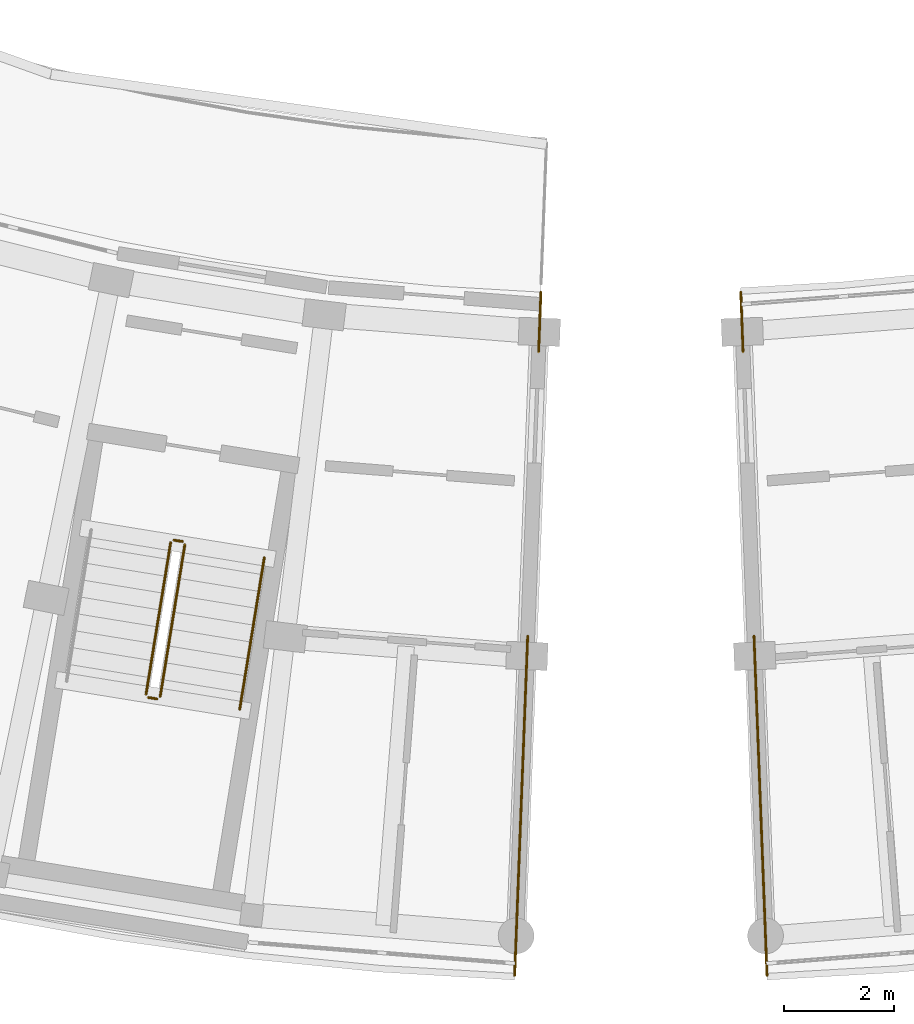
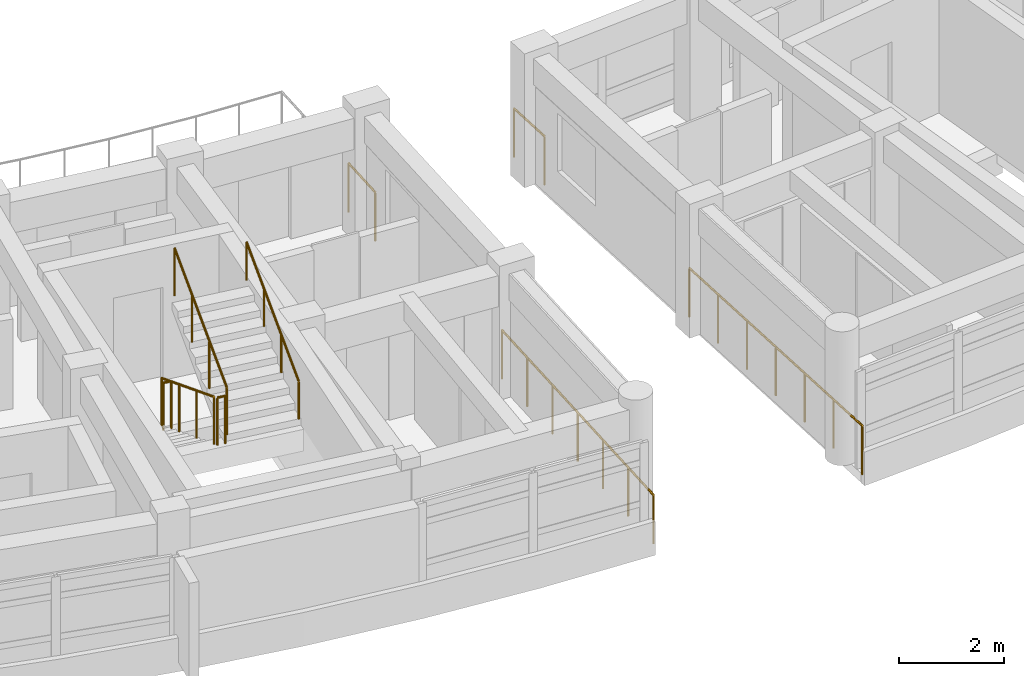
# One storey, part 49 of 54: 9 railings.
"""IFC4 building model written with IfcOpenShell, lengths in metres."""

from ifc_helpers import new_model, si_unit, direction, frame, origin, origin_2d, place, context, subcontext, project, spatial, circle, extrude, material, type_object, element, save


model = new_model("IFC4")

# Units and contexts
model_context = context("Model", 3, precision=1e-05, world=origin(), true_north=direction((0.0, 1.0)))
body_context = subcontext(model_context, "Body", "Model", "MODEL_VIEW")
ifc_project = project(units=[si_unit("LENGTHUNIT", "METRE"), si_unit("AREAUNIT", "SQUARE_METRE"), si_unit("VOLUMEUNIT", "CUBIC_METRE"), si_unit("PLANEANGLEUNIT", "RADIAN"), si_unit("MASSUNIT", "GRAM", prefix="KILO")], contexts=[model_context])

# Site, building, storey
site_placement = place(None, origin())
site = spatial("IfcSite", under=ifc_project, at=site_placement, CompositionType="ELEMENT")
building_placement = place(site_placement, origin())
building = spatial("IfcBuilding", under=site, at=building_placement, Name="Zimvara Arc Housing Community", CompositionType="ELEMENT")
storey_placement = place(building_placement, frame((0.0, 0.0, 23.60009765625)))
storey = spatial("IfcBuildingStorey", under=building, at=storey_placement, Name="L07", CompositionType="ELEMENT", Elevation=23.60009765625)

# Railings
ifc_material_1 = material(Name="Anodised Aluminium AW-6063", Category="aluminium")
railing_type_1 = type_object("IfcRailingType", Name="RLG-BAL-1120", PredefinedType="BALUSTRADE", material=ifc_material_1)
railing_1_placement = place(storey_placement, frame((117.455810546875, 58.15771484375, 0.15478515625)))
element("IfcRailing", 1, at=railing_1_placement, inside=storey, type_object=railing_type_1, Name="L07 ST-C2 stair guard 1", PredefinedType="BALUSTRADE", context=body_context, shape_type="SweptSolid", body=[
    extrude(circle(Radius=0.02392578125, at=origin_2d()), frame((0.0, 0.0, 1.09619140625), z_axis=(-0.14330919097, -0.882866015369, 0.447224859204), x_axis=(0.987080428045, -0.160225555297, 0.0)), (0.0, 0.0, 1.0), 3.119384765625),
    extrude(circle(Radius=0.02099609375, at=origin_2d()), origin(), (0.0, 0.0, 1.0), 1.072021484375),
    extrude(circle(Radius=0.02099609375, at=origin_2d()), frame((-0.14892578125, -0.91796875, 0.465087890625)), (0.0, 0.0, 1.0), 1.072021484375),
    extrude(circle(Radius=0.02099609375, at=origin_2d()), frame((-0.298095703125, -1.8359375, 0.929931640625)), (0.0, 0.0, 1.0), 1.072021484375),
    extrude(circle(Radius=0.02099609375, at=origin_2d()), frame((-0.447021484375, -2.75390625, 1.39501953125)), (0.0, 0.0, 1.0), 1.072021484375),
])
railing_2_placement = place(storey_placement, frame((117.050048828125, 55.346435546875, 1.5498046875)))
element("IfcRailing", 2, at=railing_2_placement, inside=storey, type_object=railing_type_1, Name="L07 ST-C2 stair guard 2", PredefinedType="BALUSTRADE", context=body_context, shape_type="SweptSolid", body=[
    extrude(circle(Radius=0.02392578125, at=origin_2d()), frame((0.0, 0.0, 1.09619140625), z_axis=(0.987085924886, -0.160191687964, 0.0), x_axis=(0.160191687964, 0.987085924886, 0.0)), (0.0, 0.0, 1.0), 0.159912109375),
    extrude(circle(Radius=0.02099609375, at=origin_2d()), origin(), (0.0, 0.0, 1.0), 1.072021484375),
    extrude(circle(Radius=0.02099609375, at=origin_2d()), frame((0.157958984375, -0.025634765625, 0.0)), (0.0, 0.0, 1.0), 1.072021484375),
])
railing_3_placement = place(storey_placement, frame((117.265380859375, 55.3623046875, 1.704833984375)))
element("IfcRailing", 3, at=railing_3_placement, inside=storey, type_object=railing_type_1, Name="L07 ST-C2 stair guard 3", PredefinedType="BALUSTRADE", context=body_context, shape_type="SweptSolid", body=[
    extrude(circle(Radius=0.02392578125, at=origin_2d()), frame((0.0, 0.0, 1.09619140625), z_axis=(0.14330919097, 0.882866015369, 0.447224859204), x_axis=(-0.987080428045, 0.160225555297, 0.0)), (0.0, 0.0, 1.0), 3.119384765625),
    extrude(circle(Radius=0.02099609375, at=origin_2d()), origin(), (0.0, 0.0, 1.0), 1.072021484375),
    extrude(circle(Radius=0.02099609375, at=origin_2d()), frame((0.14892578125, 0.91796875, 0.465087890625)), (0.0, 0.0, 1.0), 1.072021484375),
    extrude(circle(Radius=0.02099609375, at=origin_2d()), frame((0.298095703125, 1.8359375, 0.929931640625)), (0.0, 0.0, 1.0), 1.072021484375),
    extrude(circle(Radius=0.02099609375, at=origin_2d()), frame((0.447021484375, 2.75390625, 1.39501953125)), (0.0, 0.0, 1.0), 1.072021484375),
])
railing_4_placement = place(storey_placement, frame((117.51318359375, 58.19921875, 0.0)))
element("IfcRailing", 4, at=railing_4_placement, inside=storey, type_object=railing_type_1, Name="L07 ST-C2 stair guard 4", PredefinedType="BALUSTRADE", context=body_context, shape_type="SweptSolid", body=[
    extrude(circle(Radius=0.02392578125, at=origin_2d()), frame((0.0, 0.0, 1.09619140625), z_axis=(0.987085924886, -0.160191687964, 0.0), x_axis=(0.160191687964, 0.987085924886, 0.0)), (0.0, 0.0, 1.0), 0.159912109375),
    extrude(circle(Radius=0.02099609375, at=origin_2d()), origin(), (0.0, 0.0, 1.0), 1.072021484375),
    extrude(circle(Radius=0.02099609375, at=origin_2d()), frame((0.157958984375, -0.025634765625, 0.0)), (0.0, 0.0, 1.0), 1.072021484375),
])
ifc_material_2 = material(Name="Anodised Aluminium AW-6063", Category="aluminium")
railing_type_2 = type_object("IfcRailingType", Name="RLG-BAL-1150", PredefinedType="BALUSTRADE", material=ifc_material_2)
railing_5_placement = place(storey_placement, frame((124.168212890625, 62.69482421875, 0.0)))
element("IfcRailing", 5, at=railing_5_placement, inside=storey, type_object=railing_type_2, Name="rlg:blkC:L07:gable_in:gN", PredefinedType="BALUSTRADE", context=body_context, shape_type="SweptSolid", body=[
    extrude(circle(Radius=0.02392578125, at=origin_2d()), frame((0.0, 0.0, 1.1259765625), z_axis=(-0.038424441628, -0.999261508458, 0.0), x_axis=(0.999261508458, -0.038424441628, 0.0)), (0.0, 0.0, 1.0), 1.080078125),
    extrude(circle(Radius=0.02099609375, at=origin_2d()), origin(), (0.0, 0.0, 1.0), 1.101806640625),
    extrude(circle(Radius=0.02099609375, at=origin_2d()), frame((-0.04150390625, -1.079345703125, 0.0)), (0.0, 0.0, 1.0), 1.101806640625),
])
railing_6_placement = place(storey_placement, frame((123.928466796875, 56.45947265625, 0.0)))
element("IfcRailing", 6, at=railing_6_placement, inside=storey, type_object=railing_type_2, Name="rlg:blkC:L07:gable_out:gN", PredefinedType="BALUSTRADE", context=body_context, shape_type="SweptSolid", body=[
    extrude(circle(Radius=0.02392578125, at=origin_2d()), frame((0.0, 0.0, 1.1259765625), z_axis=(-0.038364627964, -0.99926380667, 0.0), x_axis=(0.99926380667, -0.038364627964, 0.0)), (0.0, 0.0, 1.0), 6.16015625),
    extrude(circle(Radius=0.02099609375, at=origin_2d()), origin(), (0.0, 0.0, 1.0), 1.101806640625),
    extrude(circle(Radius=0.02099609375, at=origin_2d()), frame((-0.039306640625, -1.02587890625, 0.0)), (0.0, 0.0, 1.0), 1.101806640625),
    extrude(circle(Radius=0.02099609375, at=origin_2d()), frame((-0.078857421875, -2.0517578125, 0.0)), (0.0, 0.0, 1.0), 1.101806640625),
    extrude(circle(Radius=0.02099609375, at=origin_2d()), frame((-0.1181640625, -3.07763671875, 0.0)), (0.0, 0.0, 1.0), 1.101806640625),
    extrude(circle(Radius=0.02099609375, at=origin_2d()), frame((-0.157470703125, -4.103759765625, 0.0)), (0.0, 0.0, 1.0), 1.101806640625),
    extrude(circle(Radius=0.02099609375, at=origin_2d()), frame((-0.197021484375, -5.129638671875, 0.0)), (0.0, 0.0, 1.0), 1.101806640625),
    extrude(circle(Radius=0.02099609375, at=origin_2d()), frame((-0.236328125, -6.155517578125, 0.0)), (0.0, 0.0, 1.0), 1.101806640625),
])
railing_7_placement = place(storey_placement, frame((127.7919921875, 62.69482421875, 0.0)))
element("IfcRailing", 7, at=railing_7_placement, inside=storey, type_object=railing_type_2, Name="rlg:blkD:L07:gable_in:g0", PredefinedType="BALUSTRADE", context=body_context, shape_type="SweptSolid", body=[
    extrude(circle(Radius=0.02392578125, at=origin_2d()), frame((0.0, 0.0, 1.1259765625), z_axis=(0.03819874628, -0.999270161559, 0.0), x_axis=(0.999270161559, 0.03819874628, 0.0)), (0.0, 0.0, 1.0), 1.080078125),
    extrude(circle(Radius=0.02099609375, at=origin_2d()), origin(), (0.0, 0.0, 1.0), 1.101806640625),
    extrude(circle(Radius=0.02099609375, at=origin_2d()), frame((0.041259765625, -1.079345703125, 0.0)), (0.0, 0.0, 1.0), 1.101806640625),
])
railing_8_placement = place(storey_placement, frame((128.031494140625, 56.45947265625, 0.0)))
element("IfcRailing", 8, at=railing_8_placement, inside=storey, type_object=railing_type_2, Name="rlg:blkD:L07:gable_out:g0", PredefinedType="BALUSTRADE", context=body_context, shape_type="SweptSolid", body=[
    extrude(circle(Radius=0.02392578125, at=origin_2d()), frame((0.0, 0.0, 1.1259765625), z_axis=(0.038364627964, -0.99926380667, 0.0), x_axis=(0.99926380667, 0.038364627964, 0.0)), (0.0, 0.0, 1.0), 6.16015625),
    extrude(circle(Radius=0.02099609375, at=origin_2d()), origin(), (0.0, 0.0, 1.0), 1.101806640625),
    extrude(circle(Radius=0.02099609375, at=origin_2d()), frame((0.039306640625, -1.02587890625, 0.0)), (0.0, 0.0, 1.0), 1.101806640625),
    extrude(circle(Radius=0.02099609375, at=origin_2d()), frame((0.078857421875, -2.0517578125, 0.0)), (0.0, 0.0, 1.0), 1.101806640625),
    extrude(circle(Radius=0.02099609375, at=origin_2d()), frame((0.1181640625, -3.07763671875, 0.0)), (0.0, 0.0, 1.0), 1.101806640625),
    extrude(circle(Radius=0.02099609375, at=origin_2d()), frame((0.157470703125, -4.103759765625, 0.0)), (0.0, 0.0, 1.0), 1.101806640625),
    extrude(circle(Radius=0.02099609375, at=origin_2d()), frame((0.197021484375, -5.129638671875, 0.0)), (0.0, 0.0, 1.0), 1.101806640625),
    extrude(circle(Radius=0.02099609375, at=origin_2d()), frame((0.236328125, -6.155517578125, 0.0)), (0.0, 0.0, 1.0), 1.101806640625),
])
ifc_material_3 = material(Name="Anodised Aluminium AW-6063", Category="aluminium")
railing_type_3 = type_object("IfcRailingType", Name="RLG-HND-900", PredefinedType="HANDRAIL", material=ifc_material_3)
railing_9_placement = place(storey_placement, frame((118.70654296875, 55.128173828125, 1.704833984375)))
element("IfcRailing", 9, at=railing_9_placement, inside=storey, type_object=railing_type_3, Name="L07 ST-C2 stair handrail 2", PredefinedType="HANDRAIL", context=body_context, shape_type="SweptSolid", body=[
    extrude(circle(Radius=0.02392578125, at=origin_2d()), frame((0.0, 0.0, 0.8759765625), z_axis=(0.143299288836, 0.882883275458, 0.447193957625), x_axis=(-0.987082674257, 0.160211716742, 0.0)), (0.0, 0.0, 1.0), 3.119384765625),
    extrude(circle(Radius=0.02099609375, at=origin_2d()), origin(), (0.0, 0.0, 1.0), 0.851806640625),
    extrude(circle(Radius=0.02099609375, at=origin_2d()), frame((0.14892578125, 0.91796875, 0.465087890625)), (0.0, 0.0, 1.0), 0.851806640625),
    extrude(circle(Radius=0.02099609375, at=origin_2d()), frame((0.298095703125, 1.836181640625, 0.929931640625)), (0.0, 0.0, 1.0), 0.851806640625),
    extrude(circle(Radius=0.02099609375, at=origin_2d()), frame((0.447021484375, 2.754150390625, 1.39501953125)), (0.0, 0.0, 1.0), 0.851806640625),
])

save(model, "model.ifc")
